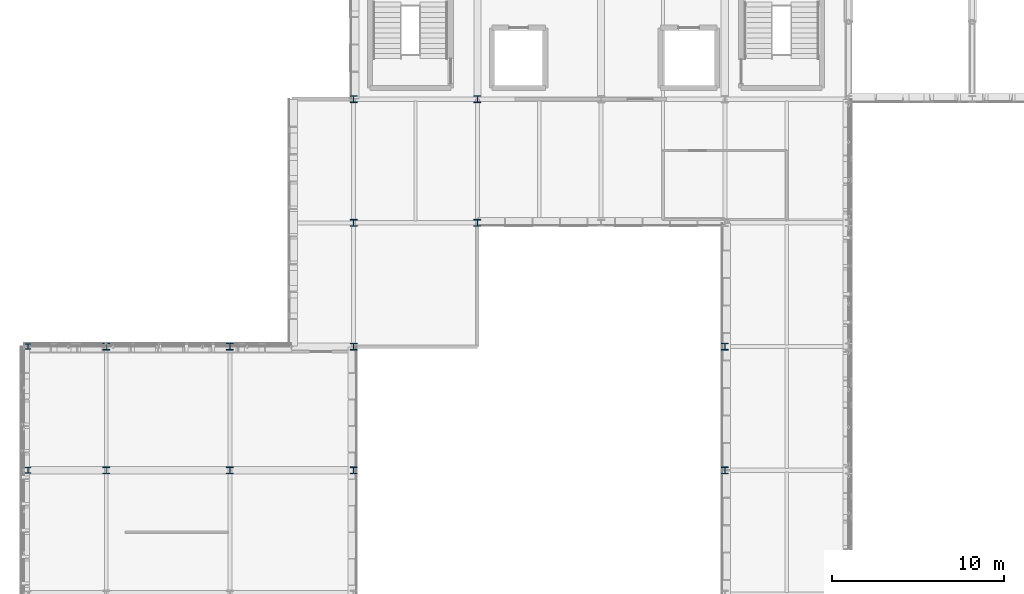
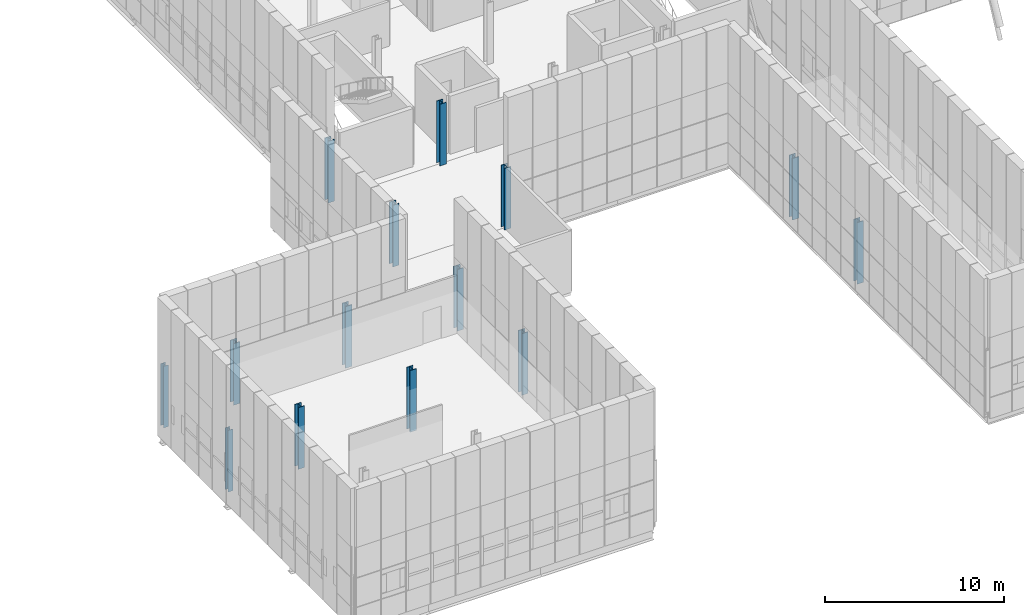
# One storey, part 3 of 144: 14 columns.
"""IFC4 building model written with IfcOpenShell, lengths in metres."""

from ifc_helpers import new_model, si_unit, direction, frame, origin, origin_2d, place, context, subcontext, project, spatial, i_section, extrude, material, material_profile, profile_set, type_object, element, save


model = new_model("IFC4")

# Units and contexts
model_context = context("Model", 3, precision=1e-05, world=origin(), true_north=direction((0.0, 1.0)))
body_context = subcontext(model_context, "Body", "Model", "MODEL_VIEW")
ifc_project = project(units=[si_unit("LENGTHUNIT", "METRE"), si_unit("AREAUNIT", "SQUARE_METRE"), si_unit("VOLUMEUNIT", "CUBIC_METRE"), si_unit("PLANEANGLEUNIT", "RADIAN"), si_unit("MASSUNIT", "GRAM", prefix="KILO")], contexts=[model_context])

# Site, building, storey
site_placement = place(None, origin())
site = spatial("IfcSite", under=ifc_project, at=site_placement, CompositionType="ELEMENT")
building_placement = place(site_placement, origin())
building = spatial("IfcBuilding", under=site, at=building_placement, Name="Yarey Park Central Fire Station", CompositionType="ELEMENT")
storey_placement = place(building_placement, frame((0.0, 0.0, 10.199951171875)))
storey = spatial("IfcBuildingStorey", under=building, at=storey_placement, Name="L03", CompositionType="ELEMENT", Elevation=10.199951171875)

# Columns
ifc_material = material(Name="Steel ASTM A992 Gr. 50", Category="steel")
ifc_material_profile_1 = material_profile(ifc_material, i_section(OverallWidth=0.30908203125, OverallDepth=0.322998046875, WebThickness=0.013916015625, FlangeThickness=0.02294921875, at=origin_2d()), Name="W310x143")
ifc_profile_set_1 = profile_set([ifc_material_profile_1], Name="Steel ASTM A992 Gr. 50")
column_type_1 = type_object("IfcColumnType", Name="STR_COL_W310_EXT", PredefinedType="COLUMN", material=ifc_profile_set_1)
for number, where, z_axis, x_axis, name in (
    (1, (9.85009765625, 36.0, 0.0), (0.0, 0.0, 1.0), (1.0, 0.0, 0.0), "COL_L03_NOSE_Y360"),
    (2, (9.85009765625, 43.199951171875, 0.0), (0.0, 0.0, 1.0), (1.0, 0.0, 0.0), "COL_L03_NOSE_Y432"),
):
    element("IfcColumn", number, at=place(storey_placement, frame(where, z_axis=z_axis, x_axis=x_axis)), inside=storey, type_object=column_type_1, Name=name, PredefinedType="COLUMN", context=body_context, shape_type="SweptSolid", body=[
        extrude(i_section(OverallWidth=0.30908203125, OverallDepth=0.322998046875, WebThickness=0.013916015625, FlangeThickness=0.02294921875, at=origin_2d()), origin(), (0.0, 0.0, 1.0), 4.199951171875),
    ])
ifc_material_profile_2 = material_profile(ifc_material, i_section(OverallWidth=0.404052734375, OverallDepth=0.406982421875, WebThickness=0.027099609375, FlangeThickness=0.043701171875, at=origin_2d()), Name="W360x347")
ifc_profile_set_2 = profile_set([ifc_material_profile_2], Name="Steel ASTM A992 Gr. 50")
column_type_2 = type_object("IfcColumnType", Name="STR_COL_W360_EXT", PredefinedType="COLUMN", material=ifc_profile_set_2)
for number, where, z_axis, x_axis, name in (
    (3, (14.39990234375, 36.0, 0.0), (0.0, 0.0, 1.0), (1.0, 0.0, 0.0), "COL_L03_X144_Y360"),
    (4, (14.39990234375, 43.199951171875, 0.0), (0.0, 0.0, 1.0), (1.0, 0.0, 0.0), "COL_L03_X144_Y432"),
    (5, (21.60009765625, 43.199951171875, 0.0), (0.0, 0.0, 1.0), (1.0, 0.0, 0.0), "COL_L03_X216_Y432"),
):
    element("IfcColumn", number, at=place(storey_placement, frame(where, z_axis=z_axis, x_axis=x_axis)), inside=storey, type_object=column_type_2, Name=name, PredefinedType="COLUMN", context=body_context, shape_type="SweptSolid", body=[
        extrude(i_section(OverallWidth=0.404052734375, OverallDepth=0.406982421875, WebThickness=0.027099609375, FlangeThickness=0.043701171875, at=origin_2d()), origin(), (0.0, 0.0, 1.0), 4.199951171875),
    ])
ifc_material_profile_3 = material_profile(ifc_material, i_section(OverallWidth=0.404052734375, OverallDepth=0.406982421875, WebThickness=0.027099609375, FlangeThickness=0.043701171875, at=origin_2d()), Name="W360x347")
ifc_profile_set_3 = profile_set([ifc_material_profile_3], Name="Steel ASTM A992 Gr. 50")
column_type_3 = type_object("IfcColumnType", Name="STR_COL_W360_INT", PredefinedType="COLUMN", material=ifc_profile_set_3)
for number, where, z_axis, x_axis, name in (
    (6, (21.60009765625, 36.0, 0.0), (0.0, 0.0, 1.0), (1.0, 0.0, 0.0), "COL_L03_X216_Y360"),
    (7, (28.800048828125, 36.0, 0.0), (0.0, 0.0, 1.0), (1.0, 0.0, 0.0), "COL_L03_X288_Y360"),
    (8, (28.800048828125, 43.199951171875, 0.0), (0.0, 0.0, 1.0), (1.0, 0.0, 0.0), "COL_L03_X288_Y432"),
    (9, (28.800048828125, 50.39990234375, 0.0), (0.0, 0.0, 1.0), (1.0, 0.0, 0.0), "COL_L03_X288_Y504"),
    (10, (28.800048828125, 57.60009765625, 0.0), (0.0, 0.0, 1.0), (1.0, 0.0, 0.0), "COL_L03_X288_Y576"),
    (11, (36.0, 50.39990234375, 0.0), (0.0, 0.0, 1.0), (1.0, 0.0, 0.0), "COL_L03_X360_Y504"),
    (12, (36.0, 57.60009765625, 0.0), (0.0, 0.0, 1.0), (1.0, 0.0, 0.0), "COL_L03_X360_Y576"),
    (13, (50.39990234375, 36.0, 0.0), (0.0, 0.0, 1.0), (1.0, 0.0, 0.0), "COL_L03_X504_Y360"),
    (14, (50.39990234375, 43.199951171875, 0.0), (0.0, 0.0, 1.0), (1.0, 0.0, 0.0), "COL_L03_X504_Y432"),
):
    element("IfcColumn", number, at=place(storey_placement, frame(where, z_axis=z_axis, x_axis=x_axis)), inside=storey, type_object=column_type_3, Name=name, PredefinedType="COLUMN", context=body_context, shape_type="SweptSolid", body=[
        extrude(i_section(OverallWidth=0.404052734375, OverallDepth=0.406982421875, WebThickness=0.027099609375, FlangeThickness=0.043701171875, at=origin_2d()), origin(), (0.0, 0.0, 1.0), 4.199951171875),
    ])

save(model, "model.ifc")
